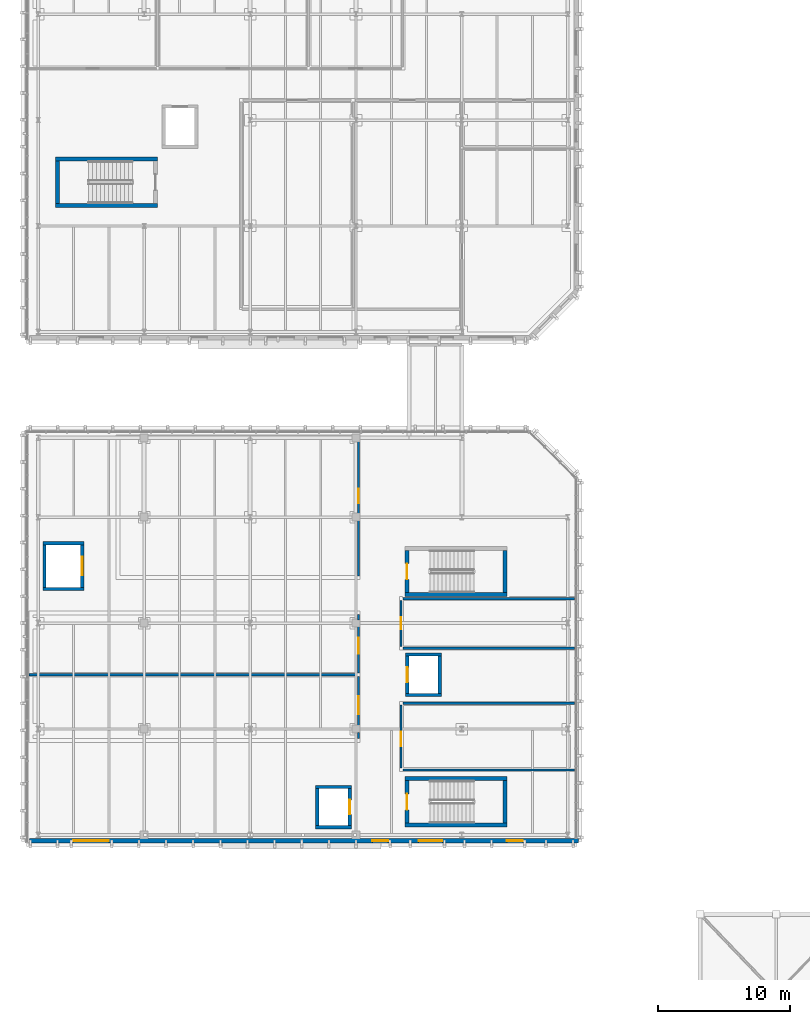
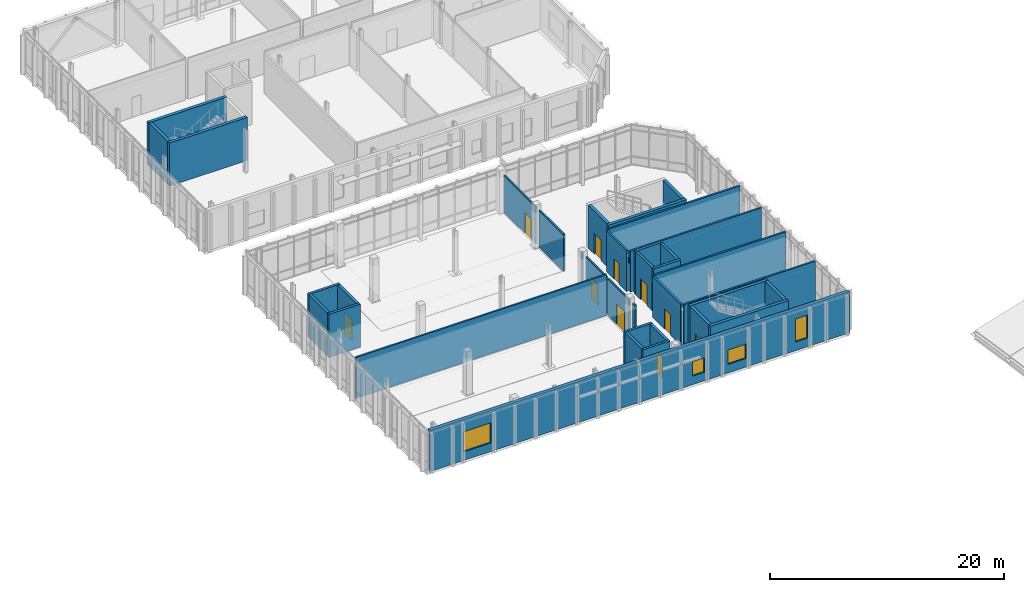
# One storey, part 42 of 62: 36 walls, 10 doors, 4 windows, 14 openings.
"""IFC4 building model written with IfcOpenShell, lengths in metres."""

import ifcopenshell
import ifcopenshell.guid

model = None  # the IFC model being written
_history = None  # IfcOwnerHistory: only IFC2X3 demands one
_inside = {}  # id of a spatial element -> (the spatial element, [elements in it])
_under = {}  # id of a project, library or spatial element -> (it, [spatial elements below it])
_declared = {}  # id of a project -> (the project, [libraries it declares])
_typed = {}  # id of a type object -> (the type object, [elements of that type])
_made_of = {}  # id of a material, layer set ... -> (it, [elements and type objects made of it])


def new_model(schema):
    """Start an empty IFC model of exactly this schema.

    Asked for "IFC4X3", IfcOpenShell would pick the latest addendum, in which some entities
    have other attributes; the version numbers below select the first issue.
    IFC2X3 requires an IfcOwnerHistory on every rooted entity: one is made here for all.
    """
    global model, _history
    if schema == "IFC4X3":
        model = ifcopenshell.file(schema_version=(4, 3, 0, 0))
    else:
        model = ifcopenshell.file(schema=schema)
    _inside.clear()
    _under.clear()
    _declared.clear()
    _typed.clear()
    _made_of.clear()
    _history = None
    if model.schema == "IFC2X3":
        org = make("IfcOrganization", Name="unknown")
        user = make(
            "IfcPersonAndOrganization",
            ThePerson=make("IfcPerson", FamilyName="unknown"),
            TheOrganization=org,
        )
        app = make(
            "IfcApplication",
            ApplicationDeveloper=org,
            Version="unknown",
            ApplicationFullName="unknown",
            ApplicationIdentifier="unknown",
        )
        _history = make(
            "IfcOwnerHistory",
            OwningUser=user,
            OwningApplication=app,
            ChangeAction="ADDED",
            CreationDate=0,
        )
    return model


def make(cls, **values):
    """One entity of the class cls with the attributes given. An attribute that is None is left unset."""
    return model.create_entity(
        cls, **{name: value for name, value in values.items() if value is not None}
    )


def rooted(cls, **values):
    """An entity with a GlobalId (a new one), such as an element, a storey or a relation."""
    return make(cls, GlobalId=ifcopenshell.guid.new(), OwnerHistory=_history, **values)


def si_unit(unit_type, name, prefix=None):
    """IfcSIUnit, for example si_unit("LENGTHUNIT", "METRE", prefix="MILLI")."""
    return make("IfcSIUnit", UnitType=unit_type, Prefix=prefix, Name=name)


def assignment(units):
    """IfcUnitAssignment: the units of a project."""
    return None if units is None else make("IfcUnitAssignment", Units=units)


def point(xyz):
    """IfcCartesianPoint."""
    return None if xyz is None else make("IfcCartesianPoint", Coordinates=xyz)


def direction(xyz):
    """IfcDirection."""
    return None if xyz is None else make("IfcDirection", DirectionRatios=xyz)


def frame(location, z_axis=None, x_axis=None):
    """IfcAxis2Placement3D, a coordinate frame: its origin and axes. An axis left out is left unset."""
    return make(
        "IfcAxis2Placement3D",
        Location=point(location),
        Axis=direction(z_axis),
        RefDirection=direction(x_axis),
    )


def frame_2d(location, x_axis=None):
    """IfcAxis2Placement2D, a coordinate frame in the plane: its origin and x axis."""
    return make(
        "IfcAxis2Placement2D", Location=point(location), RefDirection=direction(x_axis)
    )


def origin():
    """The frame at (0, 0, 0) with its axes left unset."""
    return frame((0.0, 0.0, 0.0))


def place(relative_to, where):
    """IfcLocalPlacement: puts the frame where relative to a parent placement (None: the world)."""
    return make(
        "IfcLocalPlacement", PlacementRelTo=relative_to, RelativePlacement=where
    )


def context(
    kind, dimensions, precision=None, world=None, true_north=None, identifier=None
):
    """IfcGeometricRepresentationContext, for example the 3D "Model" context."""
    return make(
        "IfcGeometricRepresentationContext",
        ContextIdentifier=identifier,
        ContextType=kind,
        CoordinateSpaceDimension=dimensions,
        Precision=precision,
        WorldCoordinateSystem=world,
        TrueNorth=true_north,
    )


def subcontext(parent, identifier, kind, view, scale=None):
    """IfcGeometricRepresentationSubContext, for example "Body" below "Model"."""
    return make(
        "IfcGeometricRepresentationSubContext",
        ContextIdentifier=identifier,
        ContextType=kind,
        ParentContext=parent,
        TargetScale=scale,
        TargetView=view,
    )


def project(units=None, contexts=None):
    """IfcProject with its units and contexts."""
    return rooted(
        "IfcProject",
        Name="project",
        RepresentationContexts=contexts,
        UnitsInContext=assignment(units),
    )


def spatial(cls, under=None, at=None, **own):
    """A site, building, storey or space (cls), placed at a placement, below another one or the project."""
    s = rooted(cls, ObjectPlacement=at, **own)
    if under is not None:
        _under.setdefault(under.id(), (under, []))[1].append(s)
    return s


def profile(cls, at=None, kind="AREA", **sizes):
    """A parametric profile (cls). Its sizes go by their IFC names, for example OverallWidth=200.0."""
    return make(cls, ProfileType=kind, Position=at, **sizes)


def rectangle(**sizes):
    """IfcRectangleProfileDef."""
    return profile("IfcRectangleProfileDef", **sizes)


def extrude(swept, where, along, depth):
    """IfcExtrudedAreaSolid: the profile swept, set in the frame where, extruded along a direction by depth."""
    return make(
        "IfcExtrudedAreaSolid",
        SweptArea=swept,
        Position=where,
        ExtrudedDirection=direction(along),
        Depth=depth,
    )


def shape(context_of_items, identifier, shape_type, items):
    """IfcShapeRepresentation: the items that make up one representation, for example the "Body"."""
    return make(
        "IfcShapeRepresentation",
        ContextOfItems=context_of_items,
        RepresentationIdentifier=identifier,
        RepresentationType=shape_type,
        Items=items,
    )


def material(Name=None, Category=None):
    """IfcMaterial."""
    return make("IfcMaterial", Name=Name, Category=Category)


def layer(
    of_material, thickness, ventilated=None, Name=None, Category=None, Priority=None
):
    """IfcMaterialLayer: one layer of a wall or slab, of a material (None: an air gap)."""
    return make(
        "IfcMaterialLayer",
        Material=of_material,
        LayerThickness=thickness,
        IsVentilated=ventilated,
        Name=Name,
        Category=Category,
        Priority=Priority,
    )


def layer_set(layers, Name=None):
    """IfcMaterialLayerSet."""
    return make("IfcMaterialLayerSet", MaterialLayers=layers, LayerSetName=Name)


def made_of(thing, what):
    """Note that an element or type object is made of a material, layer set ...; save() writes the relation."""
    if what is not None:
        _made_of.setdefault(what.id(), (what, []))[1].append(thing)
    return thing


def type_object(cls, material=None, **own):
    """A type object (cls), such as IfcWallType, which elements share."""
    return made_of(rooted(cls, **own), material)


def element(
    cls,
    number,
    at=None,
    inside=None,
    cuts=None,
    type_object=None,
    material=None,
    context=None,
    identifier="Body",
    shape_type=None,
    held_by="IfcProductDefinitionShape",
    body=None,
    shapes=None,
    **own,
):
    """One element of the class cls, such as IfcWall. Its Tag is "e" and its number.

    at: its placement. inside: the storey or other place that contains it. cuts: it is an
    opening in that element (IfcRelVoidsElement). A single representation is given by context,
    identifier, shape_type and body (its items); several are given by shapes. held_by: the class
    of the entity that holds the representations. save() writes the other relations.
    """
    e = rooted(cls, Tag="e%d" % number, ObjectPlacement=at, **own)
    if body is not None:
        shapes = [shape(context, identifier, shape_type, body)]
    if shapes is not None:
        e.Representation = make(held_by, Representations=shapes)
    if inside is not None:
        _inside.setdefault(inside.id(), (inside, []))[1].append(e)
    if cuts is not None:
        rooted(
            "IfcRelVoidsElement", RelatingBuildingElement=cuts, RelatedOpeningElement=e
        )
    if type_object is not None:
        _typed.setdefault(type_object.id(), (type_object, []))[1].append(e)
    return made_of(e, material)


def fill(opening, filler):
    """IfcRelFillsElement: the door or window that sits in an opening."""
    return rooted(
        "IfcRelFillsElement",
        RelatingOpeningElement=opening,
        RelatedBuildingElement=filler,
    )


def aggregate(whole, parts):
    """IfcRelAggregates: a whole, such as a stair, and the parts it consists of."""
    return rooted("IfcRelAggregates", RelatingObject=whole, RelatedObjects=parts)


def save(model, path):
    """Write the relations noted so far, then the file.

    IfcRelAggregates (storeys below a building ...), IfcRelContainedInSpatialStructure (elements
    in a storey), IfcRelDefinesByType, IfcRelAssociatesMaterial and IfcRelDeclares: one each for
    every whole, place, type object, material and project.
    """
    for whole, parts in _under.values():
        aggregate(whole, parts)
    for where, things in _inside.values():
        rooted(
            "IfcRelContainedInSpatialStructure",
            RelatedElements=things,
            RelatingStructure=where,
        )
    for kind, things in _typed.values():
        rooted("IfcRelDefinesByType", RelatedObjects=things, RelatingType=kind)
    for what, things in _made_of.values():
        rooted("IfcRelAssociatesMaterial", RelatedObjects=things, RelatingMaterial=what)
    for by, libraries in _declared.values():
        rooted("IfcRelDeclares", RelatingContext=by, RelatedDefinitions=libraries)
    model.write(path)


model = new_model("IFC4")

# Units and contexts
model_context = context("Model", 3, precision=1e-05, world=origin(), true_north=direction((0.0, 1.0)))
body_context = subcontext(model_context, "Body", "Model", "MODEL_VIEW")
ifc_project = project(units=[si_unit("LENGTHUNIT", "METRE"), si_unit("AREAUNIT", "SQUARE_METRE"), si_unit("VOLUMEUNIT", "CUBIC_METRE"), si_unit("PLANEANGLEUNIT", "RADIAN"), si_unit("MASSUNIT", "GRAM", prefix="KILO")], contexts=[model_context])

# Site, building, storey
site_placement = place(None, origin())
site = spatial("IfcSite", under=ifc_project, at=site_placement, CompositionType="ELEMENT")
building_placement = place(site_placement, origin())
building = spatial("IfcBuilding", under=site, at=building_placement, Name="Cymarion Research Institute", CompositionType="ELEMENT")
storey_placement = place(building_placement, frame((0.0, 0.0, 18.300048828125)))
storey = spatial("IfcBuildingStorey", under=building, at=storey_placement, Name="L04", CompositionType="ELEMENT", Elevation=18.300048828125)

# Wall, openings, windows
ifc_material_1 = material(Name="Precast concrete C40/50", Category="concrete")
ifc_layer_1 = layer(ifc_material_1, 0.340087890625)
ifc_layer_set_1 = layer_set([ifc_layer_1], Name="Precast concrete C40/50")
wall_type_1 = type_object("IfcWallType", Name="EXTERIOR WALL EW-PC340 340MM", PredefinedType="SOLIDWALL", material=ifc_layer_set_1)
wall_1_placement = place(storey_placement, frame((5.922119140625, 47.070068359375, 0.0), z_axis=(0.0, 0.0, 1.0), x_axis=(1.0, 0.0, 0.0)))
wall_1 = element("IfcWall", 1, at=wall_1_placement, inside=storey, type_object=wall_type_1, Name="L04 V4 exterior wall EW-PC340 #212", PredefinedType="SOLIDWALL", context=body_context, shape_type="SweptSolid", body=[
    extrude(rectangle(XDim=41.477783203125, YDim=0.340087890625, at=frame_2d((20.73876953125, 0.0))), origin(), (0.0, 0.0, 1.0), 4.280029296875),
])
opening_1_placement = place(wall_1_placement, frame((3.318115234375, 0.0, 0.89990234375)))
opening_1 = element("IfcOpeningElement", 2, at=opening_1_placement, cuts=wall_1, Name="Opening W13", PredefinedType="OPENING", context=body_context, shape_type="SweptSolid", body=[
    extrude(rectangle(XDim=2.699951171875, YDim=2.10009765625, at=frame_2d((1.35009765625, 1.050048828125))), frame((0.0, 0.179931640625, 0.0), z_axis=(0.0, -1.0, 0.0), x_axis=(1.0, 0.0, 0.0)), (0.0, 0.0, 1.0), 0.360107421875),
])
opening_2_placement = place(wall_1_placement, frame((25.907958984375, 0.0, 0.89990234375)))
opening_2 = element("IfcOpeningElement", 3, at=opening_2_placement, cuts=wall_1, Name="Opening W15", PredefinedType="OPENING", context=body_context, shape_type="SweptSolid", body=[
    extrude(rectangle(XDim=1.199951171875, YDim=1.5, at=frame_2d((0.60009765625, 0.75))), frame((0.0, 0.179931640625, 0.0), z_axis=(0.0, -1.0, 0.0), x_axis=(1.0, 0.0, 0.0)), (0.0, 0.0, 1.0), 0.360107421875),
])
opening_3_placement = place(wall_1_placement, frame((29.407958984375, 0.0, 0.89990234375)))
opening_3 = element("IfcOpeningElement", 4, at=opening_3_placement, cuts=wall_1, Name="Opening W17", PredefinedType="OPENING", context=body_context, shape_type="SweptSolid", body=[
    extrude(rectangle(XDim=1.800048828125, YDim=1.5, at=frame_2d((0.89990234375, 0.75))), frame((0.0, 0.179931640625, 0.0), z_axis=(0.0, -1.0, 0.0), x_axis=(1.0, 0.0, 0.0)), (0.0, 0.0, 1.0), 0.360107421875),
])
opening_4_placement = place(wall_1_placement, frame((36.077880859375, 0.0, 0.89990234375)))
opening_4 = element("IfcOpeningElement", 5, at=opening_4_placement, cuts=wall_1, Name="Opening W19", PredefinedType="OPENING", context=body_context, shape_type="SweptSolid", body=[
    extrude(rectangle(XDim=1.199951171875, YDim=2.39990234375, at=frame_2d((0.60009765625, 1.199951171875))), frame((0.0, 0.179931640625, 0.0), z_axis=(0.0, -1.0, 0.0), x_axis=(1.0, 0.0, 0.0)), (0.0, 0.0, 1.0), 0.360107421875),
])
ifc_material_2 = material(Name="Thermally broken aluminium window with Low-E glazing", Category="aluminium")
window_type_1 = type_object("IfcWindowType", Name="THERMALLY BROKEN ALUMINIUM WINDOW W13 2700X2100", PartitioningType="TRIPLE_PANEL_VERTICAL", PredefinedType="WINDOW", material=ifc_material_2)
window_1_placement = place(opening_1_placement, origin())
window_1 = element("IfcWindow", 6, at=window_1_placement, inside=storey, type_object=window_type_1, Name="L04 V4 facade window W13 #382", OverallHeight=2.10009765625, OverallWidth=2.699951171875, PartitioningType="SINGLE_PANEL", PredefinedType="WINDOW", context=body_context, shape_type="SweptSolid", body=[
    extrude(rectangle(XDim=2.699951171875, YDim=2.10009765625, at=frame_2d((1.35009765625, 1.050048828125))), frame((0.0, 0.030029296875, 0.0), z_axis=(0.0, -1.0, 0.0), x_axis=(1.0, 0.0, 0.0)), (0.0, 0.0, 1.0), 0.06005859375),
])
fill(opening_1, window_1)
window_type_2 = type_object("IfcWindowType", Name="THERMALLY BROKEN ALUMINIUM WINDOW W15 1200X1500", PartitioningType="SINGLE_PANEL", PredefinedType="WINDOW", material=ifc_material_2)
window_2_placement = place(opening_2_placement, origin())
window_2 = element("IfcWindow", 7, at=window_2_placement, inside=storey, type_object=window_type_2, Name="L04 V4 facade window W15 #383", OverallHeight=1.5, OverallWidth=1.199951171875, PartitioningType="SINGLE_PANEL", PredefinedType="WINDOW", context=body_context, shape_type="SweptSolid", body=[
    extrude(rectangle(XDim=1.199951171875, YDim=1.5, at=frame_2d((0.60009765625, 0.75))), frame((0.0, 0.030029296875, 0.0), z_axis=(0.0, -1.0, 0.0), x_axis=(1.0, 0.0, 0.0)), (0.0, 0.0, 1.0), 0.06005859375),
])
fill(opening_2, window_2)
window_type_3 = type_object("IfcWindowType", Name="THERMALLY BROKEN ALUMINIUM WINDOW W17 1800X1500", PartitioningType="DOUBLE_PANEL_HORIZONTAL", PredefinedType="WINDOW", material=ifc_material_2)
window_3_placement = place(opening_3_placement, origin())
window_3 = element("IfcWindow", 8, at=window_3_placement, inside=storey, type_object=window_type_3, Name="L04 V4 facade window W17 #384", OverallHeight=1.5, OverallWidth=1.800048828125, PartitioningType="SINGLE_PANEL", PredefinedType="WINDOW", context=body_context, shape_type="SweptSolid", body=[
    extrude(rectangle(XDim=1.800048828125, YDim=1.5, at=frame_2d((0.89990234375, 0.75))), frame((0.0, 0.030029296875, 0.0), z_axis=(0.0, -1.0, 0.0), x_axis=(1.0, 0.0, 0.0)), (0.0, 0.0, 1.0), 0.06005859375),
])
fill(opening_3, window_3)
window_type_4 = type_object("IfcWindowType", Name="THERMALLY BROKEN ALUMINIUM WINDOW W19 1200X2400", PartitioningType="SINGLE_PANEL", PredefinedType="WINDOW", material=ifc_material_2)
window_4_placement = place(opening_4_placement, origin())
window_4 = element("IfcWindow", 9, at=window_4_placement, inside=storey, type_object=window_type_4, Name="L04 V4 facade window W19 #385", OverallHeight=2.39990234375, OverallWidth=1.199951171875, PartitioningType="SINGLE_PANEL", PredefinedType="WINDOW", context=body_context, shape_type="SweptSolid", body=[
    extrude(rectangle(XDim=1.199951171875, YDim=2.39990234375, at=frame_2d((0.60009765625, 1.199951171875))), frame((0.0, 0.030029296875, 0.0), z_axis=(0.0, -1.0, 0.0), x_axis=(1.0, 0.0, 0.0)), (0.0, 0.0, 1.0), 0.06005859375),
])
fill(opening_4, window_4)

# Walls
ifc_material_3 = material(Name="ISO cleanroom modular flush panel wall", Category="metal")
ifc_layer_2 = layer(ifc_material_3, 0.159912109375)
ifc_layer_set_2 = layer_set([ifc_layer_2], Name="ISO cleanroom modular flush panel wall")
wall_type_2 = type_object("IfcWallType", Name="INTERIOR PARTITION IW-CL160 160MM", PredefinedType="PARTITIONING", material=ifc_layer_set_2)
wall_2_placement = place(storey_placement, frame((5.885009765625, 59.60009765625, 0.0), z_axis=(0.0, 0.0, 1.0), x_axis=(1.0, 0.0, 0.0)))
element("IfcWall", 10, at=wall_2_placement, inside=storey, type_object=wall_type_2, Name="L04 V4 interior partition IW-CL160 #280", PredefinedType="PARTITIONING", context=body_context, shape_type="SweptSolid", body=[
    extrude(rectangle(XDim=24.764892578125, YDim=0.159912109375, at=frame_2d((12.38232421875, 0.0))), origin(), (0.0, 0.0, 1.0), 4.280029296875),
])
wall_3_placement = place(storey_placement, frame((30.800048828125, 54.800048828125, 0.0), z_axis=(0.0, 0.0, 1.0), x_axis=(0.0, 1.0, 0.0)))
element("IfcWall", 11, at=wall_3_placement, inside=storey, type_object=wall_type_2, Name="L04 V4 interior partition IW-CL160 #281", PredefinedType="PARTITIONING", context=body_context, shape_type="SweptSolid", body=[
    extrude(rectangle(XDim=0.449951171875, YDim=0.159912109375, at=frame_2d((0.22509765625, 0.0))), origin(), (0.0, 0.0, 1.0), 3.8798828125),
])

# Wall, opening, door
wall_4_placement = place(storey_placement, frame((30.800048828125, 55.75, 0.0), z_axis=(0.0, 0.0, 1.0), x_axis=(0.0, 1.0, 0.0)))
wall_4 = element("IfcWall", 12, at=wall_4_placement, inside=storey, type_object=wall_type_2, Name="L04 V4 interior partition IW-CL160 #282", PredefinedType="PARTITIONING", context=body_context, shape_type="SweptSolid", body=[
    extrude(rectangle(XDim=3.699951171875, YDim=0.159912109375, at=frame_2d((1.85009765625, 0.0))), origin(), (0.0, 0.0, 1.0), 3.8798828125),
])
opening_5_placement = place(wall_4_placement, frame((0.873046875, 0.0, 0.0)))
opening_5 = element("IfcOpeningElement", 13, at=opening_5_placement, cuts=wall_4, Name="Opening D-L04-177", PredefinedType="OPENING", context=body_context, shape_type="SweptSolid", body=[
    extrude(rectangle(XDim=1.35009765625, YDim=2.14990234375, at=frame_2d((0.675048828125, 1.074951171875))), frame((0.0, 0.08984375, 0.0), z_axis=(0.0, -1.0, 0.0), x_axis=(1.0, 0.0, 0.0)), (0.0, 0.0, 1.0), 0.179931640625),
])
ifc_material_4 = material(Name="Flush acoustic timber/steel door assembly", Category="steel")
door_type_1 = type_object("IfcDoorType", Name="CLEANROOM GOWNING DOOR DT-CL135 1350X2150", OperationType="NOTDEFINED", PredefinedType="DOOR", material=ifc_material_4)
door_1_placement = place(opening_5_placement, origin())
door_1 = element("IfcDoor", 14, at=door_1_placement, inside=storey, type_object=door_type_1, Name="L04 Gowning Airlock door D-L04-177", OperationType="SINGLE_SWING_RIGHT", OverallHeight=2.14990234375, OverallWidth=1.35009765625, PredefinedType="DOOR", context=body_context, shape_type="SweptSolid", body=[
    extrude(rectangle(XDim=1.35009765625, YDim=2.14990234375, at=frame_2d((0.675048828125, 1.074951171875))), frame((0.0, 0.02490234375, 0.0), z_axis=(0.0, -1.0, 0.0), x_axis=(1.0, 0.0, 0.0)), (0.0, 0.0, 1.0), 0.050048828125),
])
fill(opening_5, door_1)

wall_5_placement = place(storey_placement, frame((30.800048828125, 59.75, 0.0), z_axis=(0.0, 0.0, 1.0), x_axis=(0.0, 1.0, 0.0)))
wall_5 = element("IfcWall", 15, at=wall_5_placement, inside=storey, type_object=wall_type_2, Name="L04 V4 interior partition IW-CL160 #283", PredefinedType="PARTITIONING", context=body_context, shape_type="SweptSolid", body=[
    extrude(rectangle(XDim=3.5, YDim=0.159912109375, at=frame_2d((1.75, 0.0))), origin(), (0.0, 0.0, 1.0), 3.8798828125),
])
opening_6_placement = place(wall_5_placement, frame((1.446044921875, 0.0, 0.0)))
opening_6 = element("IfcOpeningElement", 16, at=opening_6_placement, cuts=wall_5, Name="Opening D-L04-178", PredefinedType="OPENING", context=body_context, shape_type="SweptSolid", body=[
    extrude(rectangle(XDim=1.199951171875, YDim=2.14990234375, at=frame_2d((0.60009765625, 1.074951171875))), frame((0.0, 0.08984375, 0.0), z_axis=(0.0, -1.0, 0.0), x_axis=(1.0, 0.0, 0.0)), (0.0, 0.0, 1.0), 0.179931640625),
])
door_type_2 = type_object("IfcDoorType", Name="CLEANROOM AIRLOCK INTERLOCK DOOR DT-CL120 1200X2150", OperationType="NOTDEFINED", PredefinedType="DOOR", material=ifc_material_4)
door_2_placement = place(opening_6_placement, origin())
door_2 = element("IfcDoor", 17, at=door_2_placement, inside=storey, type_object=door_type_2, Name="L04 Cleanroom Bay door D-L04-178", OperationType="SINGLE_SWING_LEFT", OverallHeight=2.14990234375, OverallWidth=1.199951171875, PredefinedType="DOOR", context=body_context, shape_type="SweptSolid", body=[
    extrude(rectangle(XDim=1.199951171875, YDim=2.14990234375, at=frame_2d((0.60009765625, 1.074951171875))), frame((0.0, 0.02490234375, 0.0), z_axis=(0.0, -1.0, 0.0), x_axis=(1.0, 0.0, 0.0)), (0.0, 0.0, 1.0), 0.050048828125),
])
fill(opening_6, door_2)

# Walls
wall_6_placement = place(storey_placement, frame((30.800048828125, 63.75, 0.0), z_axis=(0.0, 0.0, 1.0), x_axis=(0.0, 1.0, 0.0)))
element("IfcWall", 18, at=wall_6_placement, inside=storey, type_object=wall_type_2, Name="L04 V4 interior partition IW-CL160 #284", PredefinedType="PARTITIONING", context=body_context, shape_type="SweptSolid", body=[
    extrude(rectangle(XDim=0.39990234375, YDim=0.159912109375, at=frame_2d((0.199951171875, 0.0))), origin(), (0.0, 0.0, 1.0), 3.8798828125),
])
wall_7_placement = place(storey_placement, frame((30.800048828125, 67.050048828125, 0.0), z_axis=(0.0, 0.0, 1.0), x_axis=(0.0, 1.0, 0.0)))
element("IfcWall", 19, at=wall_7_placement, inside=storey, type_object=wall_type_2, Name="L04 V4 interior partition IW-CL160 #285", PredefinedType="PARTITIONING", context=body_context, shape_type="SweptSolid", body=[
    extrude(rectangle(XDim=4.199951171875, YDim=0.159912109375, at=frame_2d((2.10009765625, 0.0))), origin(), (0.0, 0.0, 1.0), 3.8798828125),
])

# Wall, opening, door
wall_8_placement = place(storey_placement, frame((30.800048828125, 71.75, 0.0), z_axis=(0.0, 0.0, 1.0), x_axis=(0.0, 1.0, 0.0)))
wall_8 = element("IfcWall", 20, at=wall_8_placement, inside=storey, type_object=wall_type_2, Name="L04 V4 interior partition IW-CL160 #286", PredefinedType="PARTITIONING", context=body_context, shape_type="SweptSolid", body=[
    extrude(rectangle(XDim=5.5, YDim=0.159912109375, at=frame_2d((2.75, 0.0))), origin(), (0.0, 0.0, 1.0), 3.8798828125),
])
opening_7_placement = place(wall_8_placement, frame((0.7919921875, 0.0, 0.0)))
opening_7 = element("IfcOpeningElement", 21, at=opening_7_placement, cuts=wall_8, Name="Opening D-L04-179", PredefinedType="OPENING", context=body_context, shape_type="SweptSolid", body=[
    extrude(rectangle(XDim=1.10009765625, YDim=2.14990234375, at=frame_2d((0.550048828125, 1.074951171875))), frame((0.0, 0.08984375, 0.0), z_axis=(0.0, -1.0, 0.0), x_axis=(1.0, 0.0, 0.0)), (0.0, 0.0, 1.0), 0.179931640625),
])
door_type_3 = type_object("IfcDoorType", Name="LABORATORY WIDE SINGLE DOOR DT-LB110 1100X2150", OperationType="NOTDEFINED", PredefinedType="DOOR", material=ifc_material_4)
door_3_placement = place(opening_7_placement, origin())
door_3 = element("IfcDoor", 22, at=door_3_placement, inside=storey, type_object=door_type_3, Name="L04 Metrology Lab door D-L04-179", OperationType="SINGLE_SWING_RIGHT", OverallHeight=2.14990234375, OverallWidth=1.10009765625, PredefinedType="DOOR", context=body_context, shape_type="SweptSolid", body=[
    extrude(rectangle(XDim=1.10009765625, YDim=2.14990234375, at=frame_2d((0.550048828125, 1.074951171875))), frame((0.0, 0.02490234375, 0.0), z_axis=(0.0, -1.0, 0.0), x_axis=(1.0, 0.0, 0.0)), (0.0, 0.0, 1.0), 0.050048828125),
])
fill(opening_7, door_3)

# Walls
ifc_material_5 = material(Name="Moisture-resistant laboratory partition", Category="gypsum")
ifc_layer_3 = layer(ifc_material_5, 0.179931640625)
ifc_layer_set_3 = layer_set([ifc_layer_3], Name="Moisture-resistant laboratory partition")
wall_type_3 = type_object("IfcWallType", Name="INTERIOR PARTITION IW-LB180 180MM", PredefinedType="PARTITIONING", material=ifc_layer_set_3)
for number, where, z_axis, x_axis, name in (
    (23, (34.14990234375, 52.39990234375, 0.0), (0.0, 0.0, 1.0), (1.0, 0.0, 0.0), "L04 V4 interior partition IW-LB180 #287"),
    (24, (34.14990234375, 57.449951171875, 0.0), (0.0, 0.0, 1.0), (1.0, 0.0, 0.0), "L04 V4 interior partition IW-LB180 #288"),
    (25, (34.14990234375, 61.60009765625, 0.0), (0.0, 0.0, 1.0), (1.0, 0.0, 0.0), "L04 V4 interior partition IW-LB180 #289"),
    (26, (34.14990234375, 65.35009765625, 0.0), (0.0, 0.0, 1.0), (1.0, 0.0, 0.0), "L04 V4 interior partition IW-LB180 #290"),
):
    element("IfcWall", number, at=place(storey_placement, frame(where, z_axis=z_axis, x_axis=x_axis)), inside=storey, type_object=wall_type_3, Name=name, PredefinedType="PARTITIONING", context=body_context, shape_type="SweptSolid", body=[
        extrude(rectangle(XDim=12.965087890625, YDim=0.179931640625, at=frame_2d((6.482421875, 0.0))), origin(), (0.0, 0.0, 1.0), 4.280029296875),
    ])

# Wall, opening, door
wall_9_placement = place(storey_placement, frame((34.0, 52.550048828125, 0.0), z_axis=(0.0, 0.0, 1.0), x_axis=(0.0, 1.0, 0.0)))
wall_9 = element("IfcWall", 27, at=wall_9_placement, inside=storey, type_object=wall_type_3, Name="L04 V4 interior partition IW-LB180 #291", PredefinedType="PARTITIONING", context=body_context, shape_type="SweptSolid", body=[
    extrude(rectangle(XDim=4.77001953125, YDim=0.179931640625, at=frame_2d((2.385009765625, 0.0))), origin(), (0.0, 0.0, 1.0), 4.280029296875),
])
opening_8_placement = place(wall_9_placement, frame((1.652099609375, 0.0, 0.0)))
opening_8 = element("IfcOpeningElement", 28, at=opening_8_placement, cuts=wall_9, Name="Opening D-L04-180", PredefinedType="OPENING", context=body_context, shape_type="SweptSolid", body=[
    extrude(rectangle(XDim=1.10009765625, YDim=2.14990234375, at=frame_2d((0.550048828125, 1.074951171875))), frame((0.0, 0.099853515625, 0.0), z_axis=(0.0, -1.0, 0.0), x_axis=(1.0, 0.0, 0.0)), (0.0, 0.0, 1.0), 0.199951171875),
])
door_4_placement = place(opening_8_placement, origin())
door_4 = element("IfcDoor", 29, at=door_4_placement, inside=storey, type_object=door_type_3, Name="L04 East Lab Entry door D-L04-180", OperationType="SINGLE_SWING_LEFT", OverallHeight=2.14990234375, OverallWidth=1.10009765625, PredefinedType="DOOR", context=body_context, shape_type="SweptSolid", body=[
    extrude(rectangle(XDim=1.10009765625, YDim=2.14990234375, at=frame_2d((0.550048828125, 1.074951171875))), frame((0.0, 0.02490234375, 0.0), z_axis=(0.0, -1.0, 0.0), x_axis=(1.0, 0.0, 0.0)), (0.0, 0.0, 1.0), 0.050048828125),
])
fill(opening_8, door_4)

wall_10_placement = place(storey_placement, frame((34.0, 61.75, 0.0), z_axis=(0.0, 0.0, 1.0), x_axis=(0.0, 1.0, 0.0)))
wall_10 = element("IfcWall", 30, at=wall_10_placement, inside=storey, type_object=wall_type_3, Name="L04 V4 interior partition IW-LB180 #292", PredefinedType="PARTITIONING", context=body_context, shape_type="SweptSolid", body=[
    extrude(rectangle(XDim=3.469970703125, YDim=0.179931640625, at=frame_2d((1.73486328125, 0.0))), origin(), (0.0, 0.0, 1.0), 4.280029296875),
])
opening_9_placement = place(wall_10_placement, frame((1.284912109375, 0.0, 0.0)))
opening_9 = element("IfcOpeningElement", 31, at=opening_9_placement, cuts=wall_10, Name="Opening D-L04-181", PredefinedType="OPENING", context=body_context, shape_type="SweptSolid", body=[
    extrude(rectangle(XDim=0.89990234375, YDim=2.10009765625, at=frame_2d((0.449951171875, 1.050048828125))), frame((0.0, 0.099853515625, 0.0), z_axis=(0.0, -1.0, 0.0), x_axis=(1.0, 0.0, 0.0)), (0.0, 0.0, 1.0), 0.199951171875),
])
door_type_4 = type_object("IfcDoorType", Name="ACCESSIBLE RESTROOM DOOR DT-WC090 900X2100", OperationType="NOTDEFINED", PredefinedType="DOOR", material=ifc_material_4)
door_5_placement = place(opening_9_placement, origin())
door_5 = element("IfcDoor", 32, at=door_5_placement, inside=storey, type_object=door_type_4, Name="L04 East WC Entry door D-L04-181", OperationType="SINGLE_SWING_RIGHT", OverallHeight=2.10009765625, OverallWidth=0.89990234375, PredefinedType="DOOR", context=body_context, shape_type="SweptSolid", body=[
    extrude(rectangle(XDim=0.89990234375, YDim=2.10009765625, at=frame_2d((0.449951171875, 1.050048828125))), frame((0.0, 0.02490234375, 0.0), z_axis=(0.0, -1.0, 0.0), x_axis=(1.0, 0.0, 0.0)), (0.0, 0.0, 1.0), 0.050048828125),
])
fill(opening_9, door_5)

# Walls
ifc_material_6 = material(Name="Concrete C40/50", Category="concrete")
ifc_layer_4 = layer(ifc_material_6, 0.25)
ifc_layer_set_4 = layer_set([ifc_layer_4], Name="Concrete C40/50")
wall_type_4 = type_object("IfcWallType", Name="REINFORCED CONCRETE CORE WALL CW-SH250 250MM", PredefinedType="SHEAR", material=ifc_layer_set_4)
for number, where, z_axis, x_axis, name in (
    (33, (27.550048828125, 48.074951171875, 0.0), (0.0, 0.0, 1.0), (1.0, 0.0, 0.0), "L04 LSH-LP1-L04 south core wall"),
    (34, (30.25, 51.125, 0.0), (0.0, 0.0, 1.0), (-1.0, 0.0, 0.0), "L04 LSH-LP1-L04 north core wall"),
):
    element("IfcWall", number, at=place(storey_placement, frame(where, z_axis=z_axis, x_axis=x_axis)), inside=storey, type_object=wall_type_4, Name=name, PredefinedType="SHEAR", context=body_context, shape_type="SweptSolid", body=[
        extrude(rectangle(XDim=2.699951171875, YDim=0.25, at=frame_2d((1.35009765625, 0.0))), origin(), (0.0, 0.0, 1.0), 4.5),
    ])
wall_11_placement = place(storey_placement, frame((27.675048828125, 51.0, 0.0), z_axis=(0.0, 0.0, 1.0), x_axis=(0.0, -1.0, 0.0)))
element("IfcWall", 35, at=wall_11_placement, inside=storey, type_object=wall_type_4, Name="L04 LSH-LP1-L04 west core wall", PredefinedType="SHEAR", context=body_context, shape_type="SweptSolid", body=[
    extrude(rectangle(XDim=2.800048828125, YDim=0.25, at=frame_2d((1.39990234375, 0.0))), origin(), (0.0, 0.0, 1.0), 4.5),
])

# Wall, opening, door
wall_12_placement = place(storey_placement, frame((30.125, 48.199951171875, 0.0), z_axis=(0.0, 0.0, 1.0), x_axis=(0.0, 1.0, 0.0)))
wall_12 = element("IfcWall", 36, at=wall_12_placement, inside=storey, type_object=wall_type_4, Name="L04 LSH-LP1-L04 east core wall", PredefinedType="SHEAR", context=body_context, shape_type="SweptSolid", body=[
    extrude(rectangle(XDim=2.800048828125, YDim=0.25, at=frame_2d((1.39990234375, 0.0))), origin(), (0.0, 0.0, 1.0), 4.5),
])
opening_10_placement = place(wall_12_placement, frame((0.85009765625, 0.0, 0.0)))
opening_10 = element("IfcOpeningElement", 37, at=opening_10_placement, cuts=wall_12, Name="Opening LD-LP1-L04", PredefinedType="OPENING", context=body_context, shape_type="SweptSolid", body=[
    extrude(rectangle(XDim=1.10009765625, YDim=2.14990234375, at=frame_2d((0.550048828125, 1.074951171875))), frame((0.0, 0.135009765625, 0.0), z_axis=(0.0, -1.0, 0.0), x_axis=(1.0, 0.0, 0.0)), (0.0, 0.0, 1.0), 0.27001953125),
])
ifc_material_7 = material(Name="Fire-rated insulated steel door assembly", Category="steel")
door_type_5 = type_object("IfcDoorType", Name="SLIDING LIFT LANDING DOOR DT-LD110 1100X2150", OperationType="DOUBLE_DOOR_SLIDING", PredefinedType="DOOR", material=ifc_material_7)
door_6_placement = place(opening_10_placement, origin())
door_6 = element("IfcDoor", 38, at=door_6_placement, inside=storey, type_object=door_type_5, Name="Lift LP1 landing door L04", OperationType="DOUBLE_DOOR_SLIDING", OverallHeight=2.14990234375, OverallWidth=1.10009765625, PredefinedType="DOOR", context=body_context, shape_type="SweptSolid", body=[
    extrude(rectangle(XDim=1.10009765625, YDim=2.14990234375, at=frame_2d((0.550048828125, 1.074951171875))), frame((0.0, 0.02490234375, 0.0), z_axis=(0.0, -1.0, 0.0), x_axis=(1.0, 0.0, 0.0)), (0.0, 0.0, 1.0), 0.050048828125),
])
fill(opening_10, door_6)

# Walls
for number, where, z_axis, x_axis, name in (
    (39, (34.35009765625, 58.074951171875, 0.0), (0.0, 0.0, 1.0), (1.0, 0.0, 0.0), "L04 LSH-LP4-L04 south core wall"),
    (40, (37.050048828125, 61.125, 0.0), (0.0, 0.0, 1.0), (-1.0, 0.0, 0.0), "L04 LSH-LP4-L04 north core wall"),
):
    element("IfcWall", number, at=place(storey_placement, frame(where, z_axis=z_axis, x_axis=x_axis)), inside=storey, type_object=wall_type_4, Name=name, PredefinedType="SHEAR", context=body_context, shape_type="SweptSolid", body=[
        extrude(rectangle(XDim=2.699951171875, YDim=0.25, at=frame_2d((1.35009765625, 0.0))), origin(), (0.0, 0.0, 1.0), 4.5),
    ])

# Wall, opening, door
wall_13_placement = place(storey_placement, frame((34.47509765625, 61.0, 0.0), z_axis=(0.0, 0.0, 1.0), x_axis=(0.0, -1.0, 0.0)))
wall_13 = element("IfcWall", 41, at=wall_13_placement, inside=storey, type_object=wall_type_4, Name="L04 LSH-LP4-L04 west core wall", PredefinedType="SHEAR", context=body_context, shape_type="SweptSolid", body=[
    extrude(rectangle(XDim=2.800048828125, YDim=0.25, at=frame_2d((1.39990234375, 0.0))), origin(), (0.0, 0.0, 1.0), 4.5),
])
opening_11_placement = place(wall_13_placement, frame((0.85009765625, 0.0, 0.0)))
opening_11 = element("IfcOpeningElement", 42, at=opening_11_placement, cuts=wall_13, Name="Opening LD-LP4-L04", PredefinedType="OPENING", context=body_context, shape_type="SweptSolid", body=[
    extrude(rectangle(XDim=1.10009765625, YDim=2.14990234375, at=frame_2d((0.550048828125, 1.074951171875))), frame((0.0, 0.135009765625, 0.0), z_axis=(0.0, -1.0, 0.0), x_axis=(1.0, 0.0, 0.0)), (0.0, 0.0, 1.0), 0.27001953125),
])
door_7_placement = place(opening_11_placement, origin())
door_7 = element("IfcDoor", 43, at=door_7_placement, inside=storey, type_object=door_type_5, Name="Lift LP4 landing door L04", OperationType="DOUBLE_DOOR_SLIDING", OverallHeight=2.14990234375, OverallWidth=1.10009765625, PredefinedType="DOOR", context=body_context, shape_type="SweptSolid", body=[
    extrude(rectangle(XDim=1.10009765625, YDim=2.14990234375, at=frame_2d((0.550048828125, 1.074951171875))), frame((0.0, 0.02490234375, 0.0), z_axis=(0.0, -1.0, 0.0), x_axis=(1.0, 0.0, 0.0)), (0.0, 0.0, 1.0), 0.050048828125),
])
fill(opening_11, door_7)

# Walls
wall_14_placement = place(storey_placement, frame((36.925048828125, 58.199951171875, 0.0), z_axis=(0.0, 0.0, 1.0), x_axis=(0.0, 1.0, 0.0)))
element("IfcWall", 44, at=wall_14_placement, inside=storey, type_object=wall_type_4, Name="L04 LSH-LP4-L04 east core wall", PredefinedType="SHEAR", context=body_context, shape_type="SweptSolid", body=[
    extrude(rectangle(XDim=2.800048828125, YDim=0.25, at=frame_2d((1.39990234375, 0.0))), origin(), (0.0, 0.0, 1.0), 4.5),
])
for number, where, z_axis, x_axis, name in (
    (45, (6.949951171875, 66.074951171875, 0.0), (0.0, 0.0, 1.0), (1.0, 0.0, 0.0), "L04 LSH-LG1-L04 south core wall"),
    (46, (10.050048828125, 69.52490234375, 0.0), (0.0, 0.0, 1.0), (-1.0, 0.0, 0.0), "L04 LSH-LG1-L04 north core wall"),
):
    element("IfcWall", number, at=place(storey_placement, frame(where, z_axis=z_axis, x_axis=x_axis)), inside=storey, type_object=wall_type_4, Name=name, PredefinedType="SHEAR", context=body_context, shape_type="SweptSolid", body=[
        extrude(rectangle(XDim=3.10009765625, YDim=0.25, at=frame_2d((1.550048828125, 0.0))), origin(), (0.0, 0.0, 1.0), 4.5),
    ])
wall_15_placement = place(storey_placement, frame((7.074951171875, 69.39990234375, 0.0), z_axis=(0.0, 0.0, 1.0), x_axis=(0.0, -1.0, 0.0)))
element("IfcWall", 47, at=wall_15_placement, inside=storey, type_object=wall_type_4, Name="L04 LSH-LG1-L04 west core wall", PredefinedType="SHEAR", context=body_context, shape_type="SweptSolid", body=[
    extrude(rectangle(XDim=3.199951171875, YDim=0.25, at=frame_2d((1.60009765625, 0.0))), origin(), (0.0, 0.0, 1.0), 4.5),
])

# Wall, opening, door
wall_16_placement = place(storey_placement, frame((9.925048828125, 66.199951171875, 0.0), z_axis=(0.0, 0.0, 1.0), x_axis=(0.0, 1.0, 0.0)))
wall_16 = element("IfcWall", 48, at=wall_16_placement, inside=storey, type_object=wall_type_4, Name="L04 LSH-LG1-L04 east core wall", PredefinedType="SHEAR", context=body_context, shape_type="SweptSolid", body=[
    extrude(rectangle(XDim=3.199951171875, YDim=0.25, at=frame_2d((1.60009765625, 0.0))), origin(), (0.0, 0.0, 1.0), 4.5),
])
opening_12_placement = place(wall_16_placement, frame((0.89990234375, 0.0, 0.0)))
opening_12 = element("IfcOpeningElement", 49, at=opening_12_placement, cuts=wall_16, Name="Opening LD-LG1-L04", PredefinedType="OPENING", context=body_context, shape_type="SweptSolid", body=[
    extrude(rectangle(XDim=1.39990234375, YDim=2.199951171875, at=frame_2d((0.699951171875, 1.10009765625))), frame((0.0, 0.135009765625, 0.0), z_axis=(0.0, -1.0, 0.0), x_axis=(1.0, 0.0, 0.0)), (0.0, 0.0, 1.0), 0.27001953125),
])
door_type_6 = type_object("IfcDoorType", Name="GOODS LIFT SLIDING LANDING DOOR DT-LD140 1400X2200", OperationType="DOUBLE_DOOR_SLIDING", PredefinedType="DOOR", material=ifc_material_7)
door_8_placement = place(opening_12_placement, origin())
door_8 = element("IfcDoor", 50, at=door_8_placement, inside=storey, type_object=door_type_6, Name="Lift LG1 landing door L04", OperationType="DOUBLE_DOOR_SLIDING", OverallHeight=2.199951171875, OverallWidth=1.39990234375, PredefinedType="DOOR", context=body_context, shape_type="SweptSolid", body=[
    extrude(rectangle(XDim=1.39990234375, YDim=2.199951171875, at=frame_2d((0.699951171875, 1.10009765625))), frame((0.0, 0.02490234375, 0.0), z_axis=(0.0, -1.0, 0.0), x_axis=(1.0, 0.0, 0.0)), (0.0, 0.0, 1.0), 0.050048828125),
])
fill(opening_12, door_8)

# Walls
ifc_layer_5 = layer(ifc_material_6, 0.300048828125)
ifc_layer_set_5 = layer_set([ifc_layer_5], Name="Concrete C40/50")
wall_type_5 = type_object("IfcWallType", Name="REINFORCED CONCRETE CORE WALL CW-SH300 300MM", PredefinedType="SHEAR", material=ifc_layer_set_5)
for number, where, z_axis, x_axis, name in (
    (51, (34.300048828125, 48.25, 0.0), (0.0, 0.0, 1.0), (1.0, 0.0, 0.0), "L04 SHW-C7-L04 south core wall"),
    (52, (42.0, 51.75, 0.0), (0.0, 0.0, 1.0), (-1.0, 0.0, 0.0), "L04 SHW-C7-L04 north core wall"),
):
    element("IfcWall", number, at=place(storey_placement, frame(where, z_axis=z_axis, x_axis=x_axis)), inside=storey, type_object=wall_type_5, Name=name, PredefinedType="SHEAR", context=body_context, shape_type="SweptSolid", body=[
        extrude(rectangle(XDim=7.699951171875, YDim=0.300048828125, at=frame_2d((3.85009765625, 0.0))), origin(), (0.0, 0.0, 1.0), 4.5),
    ])

# Wall, opening, door
wall_17_placement = place(storey_placement, frame((34.449951171875, 51.60009765625, 0.0), z_axis=(0.0, 0.0, 1.0), x_axis=(0.0, -1.0, 0.0)))
wall_17 = element("IfcWall", 53, at=wall_17_placement, inside=storey, type_object=wall_type_5, Name="L04 SHW-C7-L04 west core wall", PredefinedType="SHEAR", context=body_context, shape_type="SweptSolid", body=[
    extrude(rectangle(XDim=3.2001953125, YDim=0.300048828125, at=frame_2d((1.60009765625, 0.0))), origin(), (0.0, 0.0, 1.0), 4.5),
])
opening_13_placement = place(wall_17_placement, frame((1.0, 0.0, 0.0)))
opening_13 = element("IfcOpeningElement", 54, at=opening_13_placement, cuts=wall_17, Name="Opening FD-L04-ST7", PredefinedType="OPENING", context=body_context, shape_type="SweptSolid", body=[
    extrude(rectangle(XDim=1.199951171875, YDim=2.14990234375, at=frame_2d((0.60009765625, 1.074951171875))), frame((0.0, 0.159912109375, 0.0), z_axis=(0.0, -1.0, 0.0), x_axis=(1.0, 0.0, 0.0)), (0.0, 0.0, 1.0), 0.320068359375),
])
door_type_7 = type_object("IfcDoorType", Name="SMOKE PROOF STAIR FIRE DOOR DT-ST120 1200X2150", OperationType="NOTDEFINED", PredefinedType="DOOR", material=ifc_material_7)
door_9_placement = place(opening_13_placement, origin())
door_9 = element("IfcDoor", 55, at=door_9_placement, inside=storey, type_object=door_type_7, Name="L04 ST7 smoke-proof stair door FD-L04-ST7", OperationType="SINGLE_SWING_RIGHT", OverallHeight=2.14990234375, OverallWidth=1.199951171875, PredefinedType="DOOR", context=body_context, shape_type="SweptSolid", body=[
    extrude(rectangle(XDim=1.199951171875, YDim=2.14990234375, at=frame_2d((0.60009765625, 1.074951171875))), frame((0.0, 0.02490234375, 0.0), z_axis=(0.0, -1.0, 0.0), x_axis=(1.0, 0.0, 0.0)), (0.0, 0.0, 1.0), 0.050048828125),
])
fill(opening_13, door_9)

# Walls
wall_18_placement = place(storey_placement, frame((41.85009765625, 48.39990234375, 0.0), z_axis=(0.0, 0.0, 1.0), x_axis=(0.0, 1.0, 0.0)))
element("IfcWall", 56, at=wall_18_placement, inside=storey, type_object=wall_type_5, Name="L04 SHW-C7-L04 east core wall", PredefinedType="SHEAR", context=body_context, shape_type="SweptSolid", body=[
    extrude(rectangle(XDim=3.2001953125, YDim=0.300048828125, at=frame_2d((1.60009765625, 0.0))), origin(), (0.0, 0.0, 1.0), 4.5),
])
wall_19_placement = place(storey_placement, frame((34.300048828125, 65.64990234375, 0.0), z_axis=(0.0, 0.0, 1.0), x_axis=(1.0, 0.0, 0.0)))
element("IfcWall", 57, at=wall_19_placement, inside=storey, type_object=wall_type_5, Name="L04 SHW-C8-L04 south core wall", PredefinedType="SHEAR", context=body_context, shape_type="SweptSolid", body=[
    extrude(rectangle(XDim=7.699951171875, YDim=0.300048828125, at=frame_2d((3.85009765625, 0.0))), origin(), (0.0, 0.0, 1.0), 4.5),
])

# Wall, opening, door
wall_20_placement = place(storey_placement, frame((34.449951171875, 69.0, 0.0), z_axis=(0.0, 0.0, 1.0), x_axis=(0.0, -1.0, 0.0)))
wall_20 = element("IfcWall", 58, at=wall_20_placement, inside=storey, type_object=wall_type_5, Name="L04 SHW-C8-L04 west core wall", PredefinedType="SHEAR", context=body_context, shape_type="SweptSolid", body=[
    extrude(rectangle(XDim=3.199951171875, YDim=0.300048828125, at=frame_2d((1.60009765625, 0.0))), origin(), (0.0, 0.0, 1.0), 4.5),
])
opening_14_placement = place(wall_20_placement, frame((1.0, 0.0, 0.0)))
opening_14 = element("IfcOpeningElement", 59, at=opening_14_placement, cuts=wall_20, Name="Opening FD-L04-ST8", PredefinedType="OPENING", context=body_context, shape_type="SweptSolid", body=[
    extrude(rectangle(XDim=1.199951171875, YDim=2.14990234375, at=frame_2d((0.60009765625, 1.074951171875))), frame((0.0, 0.159912109375, 0.0), z_axis=(0.0, -1.0, 0.0), x_axis=(1.0, 0.0, 0.0)), (0.0, 0.0, 1.0), 0.320068359375),
])
door_10_placement = place(opening_14_placement, origin())
door_10 = element("IfcDoor", 60, at=door_10_placement, inside=storey, type_object=door_type_7, Name="L04 ST8 smoke-proof stair door FD-L04-ST8", OperationType="SINGLE_SWING_LEFT", OverallHeight=2.14990234375, OverallWidth=1.199951171875, PredefinedType="DOOR", context=body_context, shape_type="SweptSolid", body=[
    extrude(rectangle(XDim=1.199951171875, YDim=2.14990234375, at=frame_2d((0.60009765625, 1.074951171875))), frame((0.0, 0.02490234375, 0.0), z_axis=(0.0, -1.0, 0.0), x_axis=(1.0, 0.0, 0.0)), (0.0, 0.0, 1.0), 0.050048828125),
])
fill(opening_14, door_10)

# Walls
wall_21_placement = place(storey_placement, frame((41.85009765625, 65.800048828125, 0.0), z_axis=(0.0, 0.0, 1.0), x_axis=(0.0, 1.0, 0.0)))
element("IfcWall", 61, at=wall_21_placement, inside=storey, type_object=wall_type_5, Name="L04 SHW-C8-L04 east core wall", PredefinedType="SHEAR", context=body_context, shape_type="SweptSolid", body=[
    extrude(rectangle(XDim=3.199951171875, YDim=0.300048828125, at=frame_2d((1.60009765625, 0.0))), origin(), (0.0, 0.0, 1.0), 4.5),
])
for number, where, z_axis, x_axis, name in (
    (62, (7.89990234375, 95.050048828125, 0.0), (0.0, 0.0, 1.0), (1.0, 0.0, 0.0), "L04 SHW-C9-L04 south core wall"),
    (63, (15.60009765625, 98.550048828125, 0.0), (0.0, 0.0, 1.0), (-1.0, 0.0, 0.0), "L04 SHW-C9-L04 north core wall"),
):
    element("IfcWall", number, at=place(storey_placement, frame(where, z_axis=z_axis, x_axis=x_axis)), inside=storey, type_object=wall_type_5, Name=name, PredefinedType="SHEAR", context=body_context, shape_type="SweptSolid", body=[
        extrude(rectangle(XDim=7.7001953125, YDim=0.300048828125, at=frame_2d((3.85009765625, 0.0))), origin(), (0.0, 0.0, 1.0), 4.5),
    ])
wall_22_placement = place(storey_placement, frame((8.050048828125, 98.39990234375, 0.0), z_axis=(0.0, 0.0, 1.0), x_axis=(0.0, -1.0, 0.0)))
element("IfcWall", 64, at=wall_22_placement, inside=storey, type_object=wall_type_5, Name="L04 SHW-C9-L04 west core wall", PredefinedType="SHEAR", context=body_context, shape_type="SweptSolid", body=[
    extrude(rectangle(XDim=3.199951171875, YDim=0.300048828125, at=frame_2d((1.60009765625, 0.0))), origin(), (0.0, 0.0, 1.0), 4.5),
])

save(model, "model.ifc")
